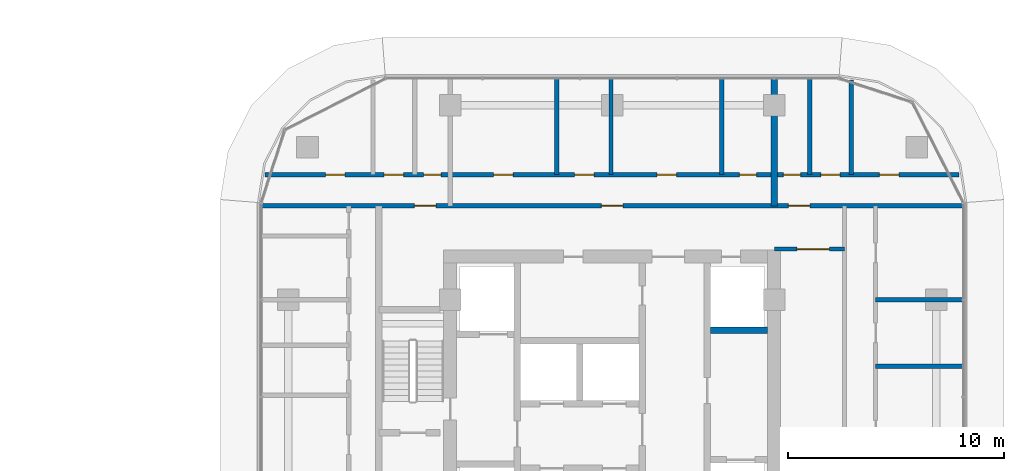
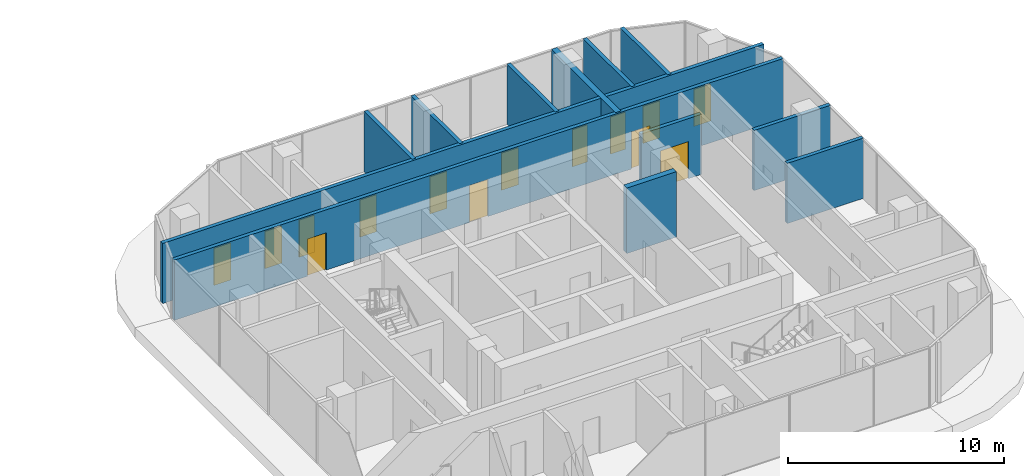
# One storey, part 27 of 39: 14 doors, 12 walls, 14 openings.
"""IFC4 building model written with IfcOpenShell, lengths in metres."""

from ifc_helpers import new_model, si_unit, direction, frame, frame_2d, origin, place, context, subcontext, project, spatial, rectangle, extrude, material, layer, layer_set, type_object, element, fill, save


model = new_model("IFC4")

# Units and contexts
model_context = context("Model", 3, precision=1e-05, world=origin(), true_north=direction((0.0, 1.0)))
body_context = subcontext(model_context, "Body", "Model", "MODEL_VIEW")
ifc_project = project(units=[si_unit("LENGTHUNIT", "METRE"), si_unit("AREAUNIT", "SQUARE_METRE"), si_unit("VOLUMEUNIT", "CUBIC_METRE"), si_unit("PLANEANGLEUNIT", "RADIAN"), si_unit("MASSUNIT", "GRAM", prefix="KILO")], contexts=[model_context])

# Site, building, storey
site_placement = place(None, origin())
site = spatial("IfcSite", under=ifc_project, at=site_placement, CompositionType="ELEMENT")
building_placement = place(site_placement, origin())
building = spatial("IfcBuilding", under=site, at=building_placement, Name="Ogive Portal Towers", CompositionType="ELEMENT")
storey_placement = place(building_placement, frame((0.0, 0.0, 44.60009765625)))
storey = spatial("IfcBuildingStorey", under=building, at=storey_placement, Name="L09", CompositionType="ELEMENT", Elevation=44.60009765625)

# Walls
ifc_material_1 = material(Name="Concrete C60/75", Category="concrete")
ifc_layer_1 = layer(ifc_material_1, 0.300048828125)
ifc_layer_set_1 = layer_set([ifc_layer_1], Name="CORE WALL 300 C60")
wall_type_1 = type_object("IfcWallType", Name="CORE WALL 300 C60", PredefinedType="SHEAR", material=ifc_layer_set_1)
wall_1_placement = place(storey_placement, frame((141.050048828125, 34.10009765625, 0.0), z_axis=(0.0, 0.0, 1.0), x_axis=(1.0, 0.0, 0.0)))
element("IfcWall", 1, at=wall_1_placement, inside=storey, type_object=wall_type_1, Name="Tower B core wall BY7 L09", PredefinedType="SHEAR", context=body_context, shape_type="SweptSolid", body=[
    extrude(rectangle(XDim=2.64990234375, YDim=0.300048828125, at=frame_2d((1.324951171875, 0.0))), origin(), (0.0, 0.0, 1.0), 3.699951171875),
])
ifc_material_2 = material(Name="Gypsum board partition on steel studs", Category="steel")
ifc_layer_2 = layer(ifc_material_2, 0.199951171875)
ifc_layer_set_2 = layer_set([ifc_layer_2], Name="WT-PART-200-EI 60")
wall_type_2 = type_object("IfcWallType", Name="WT-PART-200-EI 60", PredefinedType="PARTITIONING", material=ifc_layer_set_2)
for number, where, z_axis, x_axis, name in (
    (2, (148.68994140625, 32.43310546875, 0.0), (0.0, 0.0, 1.0), (1.0, 0.0, 0.0), "Wall L09:w012"),
    (3, (148.68994140625, 35.5, 0.0), (0.0, 0.0, 1.0), (1.0, 0.0, 0.0), "Wall L09:w016"),
):
    element("IfcWall", number, at=place(storey_placement, frame(where, z_axis=z_axis, x_axis=x_axis)), inside=storey, type_object=wall_type_2, Name=name, PredefinedType="PARTITIONING", context=body_context, shape_type="SweptSolid", body=[
        extrude(rectangle(XDim=4.074951171875, YDim=0.199951171875, at=frame_2d((2.03759765625, 0.0))), origin(), (0.0, 0.0, 1.0), 3.39990234375),
    ])

# Wall, opening, door
wall_2_placement = place(storey_placement, frame((144.02001953125, 37.85009765625, 0.0), z_axis=(0.0, 0.0, 1.0), x_axis=(1.0, 0.0, 0.0)))
wall_2 = element("IfcWall", 4, at=wall_2_placement, inside=storey, type_object=wall_type_2, Name="Wall L09:w018", PredefinedType="PARTITIONING", context=body_context, shape_type="SweptSolid", body=[
    extrude(rectangle(XDim=3.22998046875, YDim=0.199951171875, at=frame_2d((1.614990234375, 0.0))), origin(), (0.0, 0.0, 1.0), 3.39990234375),
])
opening_1_placement = place(wall_2_placement, frame((1.030029296875, 0.0, 0.0)))
opening_1 = element("IfcOpeningElement", 5, at=opening_1_placement, cuts=wall_2, Name="Opening B02-001", PredefinedType="OPENING", context=body_context, shape_type="SweptSolid", body=[
    extrude(rectangle(XDim=1.5, YDim=2.10009765625, at=frame_2d((0.75, 1.050048828125))), frame((0.0, 0.10986328125, 0.0), z_axis=(0.0, -1.0, 0.0), x_axis=(1.0, 0.0, 0.0)), (0.0, 0.0, 1.0), 0.219970703125),
])
ifc_material_3 = material(Name="Steel fire door", Category="steel")
door_type_1 = type_object("IfcDoorType", Name="DT-SWING-1500x2100-FD60S", OperationType="SINGLE_SWING_LEFT", PredefinedType="DOOR", material=ifc_material_3)
door_1_placement = place(opening_1_placement, origin())
door_1 = element("IfcDoor", 6, at=door_1_placement, inside=storey, type_object=door_type_1, Name="Door B02-001", OperationType="SINGLE_SWING_LEFT", OverallHeight=2.10009765625, OverallWidth=1.5, PredefinedType="DOOR", context=body_context, shape_type="SweptSolid", body=[
    extrude(rectangle(XDim=1.5, YDim=2.10009765625, at=frame_2d((0.75, 1.050048828125))), frame((0.0, 0.02490234375, 0.0), z_axis=(0.0, -1.0, 0.0), x_axis=(1.0, 0.0, 0.0)), (0.0, 0.0, 1.0), 0.050048828125),
])
fill(opening_1, door_1)

# Wall, openings, doors
wall_3_placement = place(storey_placement, frame((120.235107421875, 39.85009765625, 0.0), z_axis=(0.0, 0.0, 1.0), x_axis=(1.0, 0.0, 0.0)))
wall_3 = element("IfcWall", 7, at=wall_3_placement, inside=storey, type_object=wall_type_2, Name="Wall L09:w020", PredefinedType="PARTITIONING", context=body_context, shape_type="SweptSolid", body=[
    extrude(rectangle(XDim=32.52978515625, YDim=0.199951171875, at=frame_2d((16.264892578125, 0.0))), origin(), (0.0, 0.0, 1.0), 3.39990234375),
])
opening_2_placement = place(wall_3_placement, frame((7.114990234375, 0.0, 0.0)))
opening_2 = element("IfcOpeningElement", 8, at=opening_2_placement, cuts=wall_3, Name="Opening B02-004", PredefinedType="OPENING", context=body_context, shape_type="SweptSolid", body=[
    extrude(rectangle(XDim=1.0, YDim=2.10009765625, at=frame_2d((0.5, 1.050048828125))), frame((0.0, 0.10986328125, 0.0), z_axis=(0.0, -1.0, 0.0), x_axis=(1.0, 0.0, 0.0)), (0.0, 0.0, 1.0), 0.219970703125),
])
opening_3_placement = place(wall_3_placement, frame((15.764892578125, 0.0, 0.0)))
opening_3 = element("IfcOpeningElement", 9, at=opening_3_placement, cuts=wall_3, Name="Opening B02-008", PredefinedType="OPENING", context=body_context, shape_type="SweptSolid", body=[
    extrude(rectangle(XDim=1.0, YDim=2.10009765625, at=frame_2d((0.5, 1.050048828125))), frame((0.0, 0.10986328125, 0.0), z_axis=(0.0, -1.0, 0.0), x_axis=(1.0, 0.0, 0.0)), (0.0, 0.0, 1.0), 0.219970703125),
])
opening_4_placement = place(wall_3_placement, frame((24.4150390625, 0.0, 0.0)))
opening_4 = element("IfcOpeningElement", 10, at=opening_4_placement, cuts=wall_3, Name="Opening B02-013", PredefinedType="OPENING", context=body_context, shape_type="SweptSolid", body=[
    extrude(rectangle(XDim=1.0, YDim=2.10009765625, at=frame_2d((0.5, 1.050048828125))), frame((0.0, 0.10986328125, 0.0), z_axis=(0.0, -1.0, 0.0), x_axis=(1.0, 0.0, 0.0)), (0.0, 0.0, 1.0), 0.219970703125),
])
door_type_2 = type_object("IfcDoorType", Name="DT-SWING-1000x2100-FD60S", OperationType="SINGLE_SWING_LEFT", PredefinedType="DOOR", material=ifc_material_3)
door_2_placement = place(opening_2_placement, origin())
door_2 = element("IfcDoor", 11, at=door_2_placement, inside=storey, type_object=door_type_2, Name="Door B02-004", OperationType="SINGLE_SWING_RIGHT", OverallHeight=2.10009765625, OverallWidth=1.0, PredefinedType="DOOR", context=body_context, shape_type="SweptSolid", body=[
    extrude(rectangle(XDim=1.0, YDim=2.10009765625, at=frame_2d((0.5, 1.050048828125))), frame((0.0, 0.02490234375, 0.0), z_axis=(0.0, -1.0, 0.0), x_axis=(1.0, 0.0, 0.0)), (0.0, 0.0, 1.0), 0.050048828125),
])
fill(opening_2, door_2)
door_3_placement = place(opening_3_placement, origin())
door_3 = element("IfcDoor", 12, at=door_3_placement, inside=storey, type_object=door_type_2, Name="Door B02-008", OperationType="SINGLE_SWING_RIGHT", OverallHeight=2.10009765625, OverallWidth=1.0, PredefinedType="DOOR", context=body_context, shape_type="SweptSolid", body=[
    extrude(rectangle(XDim=1.0, YDim=2.10009765625, at=frame_2d((0.5, 1.050048828125))), frame((0.0, 0.02490234375, 0.0), z_axis=(0.0, -1.0, 0.0), x_axis=(1.0, 0.0, 0.0)), (0.0, 0.0, 1.0), 0.050048828125),
])
fill(opening_3, door_3)
door_4_placement = place(opening_4_placement, origin())
door_4 = element("IfcDoor", 13, at=door_4_placement, inside=storey, type_object=door_type_2, Name="Door B02-013", OperationType="SINGLE_SWING_LEFT", OverallHeight=2.10009765625, OverallWidth=1.0, PredefinedType="DOOR", context=body_context, shape_type="SweptSolid", body=[
    extrude(rectangle(XDim=1.0, YDim=2.10009765625, at=frame_2d((0.5, 1.050048828125))), frame((0.0, 0.02490234375, 0.0), z_axis=(0.0, -1.0, 0.0), x_axis=(1.0, 0.0, 0.0)), (0.0, 0.0, 1.0), 0.050048828125),
])
fill(opening_4, door_4)

wall_4_placement = place(storey_placement, frame((120.43994140625, 41.2900390625, 0.0), z_axis=(0.0, 0.0, 1.0), x_axis=(1.0, 0.0, 0.0)))
wall_4 = element("IfcWall", 14, at=wall_4_placement, inside=storey, type_object=wall_type_2, Name="Wall L09:w021", PredefinedType="PARTITIONING", context=body_context, shape_type="SweptSolid", body=[
    extrude(rectangle(XDim=32.1201171875, YDim=0.199951171875, at=frame_2d((16.06005859375, 0.0))), origin(), (0.0, 0.0, 1.0), 3.39990234375),
])
opening_5_placement = place(wall_4_placement, frame((2.79296875, 0.0, 0.0)))
opening_5 = element("IfcOpeningElement", 15, at=opening_5_placement, cuts=wall_4, Name="Opening B02-005", PredefinedType="OPENING", context=body_context, shape_type="SweptSolid", body=[
    extrude(rectangle(XDim=0.89990234375, YDim=2.10009765625, at=frame_2d((0.449951171875, 1.050048828125))), frame((0.0, 0.10986328125, 0.0), z_axis=(0.0, -1.0, 0.0), x_axis=(1.0, 0.0, 0.0)), (0.0, 0.0, 1.0), 0.219970703125),
])
opening_6_placement = place(wall_4_placement, frame((5.50390625, 0.0, 0.0)))
opening_6 = element("IfcOpeningElement", 16, at=opening_6_placement, cuts=wall_4, Name="Opening B02-006", PredefinedType="OPENING", context=body_context, shape_type="SweptSolid", body=[
    extrude(rectangle(XDim=0.89990234375, YDim=2.10009765625, at=frame_2d((0.449951171875, 1.050048828125))), frame((0.0, 0.10986328125, 0.0), z_axis=(0.0, -1.0, 0.0), x_axis=(1.0, 0.0, 0.0)), (0.0, 0.0, 1.0), 0.219970703125),
])
opening_7_placement = place(wall_4_placement, frame((7.339111328125, 0.0, 0.0)))
opening_7 = element("IfcOpeningElement", 17, at=opening_7_placement, cuts=wall_4, Name="Opening B02-007", PredefinedType="OPENING", context=body_context, shape_type="SweptSolid", body=[
    extrude(rectangle(XDim=0.800048828125, YDim=2.10009765625, at=frame_2d((0.39990234375, 1.050048828125))), frame((0.0, 0.10986328125, 0.0), z_axis=(0.0, -1.0, 0.0), x_axis=(1.0, 0.0, 0.0)), (0.0, 0.0, 1.0), 0.219970703125),
])
opening_8_placement = place(wall_4_placement, frame((10.576904296875, 0.0, 0.0)))
opening_8 = element("IfcOpeningElement", 18, at=opening_8_placement, cuts=wall_4, Name="Opening B02-009", PredefinedType="OPENING", context=body_context, shape_type="SweptSolid", body=[
    extrude(rectangle(XDim=0.89990234375, YDim=2.10009765625, at=frame_2d((0.449951171875, 1.050048828125))), frame((0.0, 0.10986328125, 0.0), z_axis=(0.0, -1.0, 0.0), x_axis=(1.0, 0.0, 0.0)), (0.0, 0.0, 1.0), 0.219970703125),
])
opening_9_placement = place(wall_4_placement, frame((14.326904296875, 0.0, 0.0)))
opening_9 = element("IfcOpeningElement", 19, at=opening_9_placement, cuts=wall_4, Name="Opening B02-010", PredefinedType="OPENING", context=body_context, shape_type="SweptSolid", body=[
    extrude(rectangle(XDim=0.89990234375, YDim=2.10009765625, at=frame_2d((0.449951171875, 1.050048828125))), frame((0.0, 0.10986328125, 0.0), z_axis=(0.0, -1.0, 0.0), x_axis=(1.0, 0.0, 0.0)), (0.0, 0.0, 1.0), 0.219970703125),
])
opening_10_placement = place(wall_4_placement, frame((18.14404296875, 0.0, 0.0)))
opening_10 = element("IfcOpeningElement", 20, at=opening_10_placement, cuts=wall_4, Name="Opening B02-011", PredefinedType="OPENING", context=body_context, shape_type="SweptSolid", body=[
    extrude(rectangle(XDim=0.89990234375, YDim=2.10009765625, at=frame_2d((0.449951171875, 1.050048828125))), frame((0.0, 0.10986328125, 0.0), z_axis=(0.0, -1.0, 0.0), x_axis=(1.0, 0.0, 0.0)), (0.0, 0.0, 1.0), 0.219970703125),
])
opening_11_placement = place(wall_4_placement, frame((21.944091796875, 0.0, 0.0)))
opening_11 = element("IfcOpeningElement", 21, at=opening_11_placement, cuts=wall_4, Name="Opening B02-012", PredefinedType="OPENING", context=body_context, shape_type="SweptSolid", body=[
    extrude(rectangle(XDim=0.800048828125, YDim=2.10009765625, at=frame_2d((0.39990234375, 1.050048828125))), frame((0.0, 0.10986328125, 0.0), z_axis=(0.0, -1.0, 0.0), x_axis=(1.0, 0.0, 0.0)), (0.0, 0.0, 1.0), 0.219970703125),
])
opening_12_placement = place(wall_4_placement, frame((23.98095703125, 0.0, 0.0)))
opening_12 = element("IfcOpeningElement", 22, at=opening_12_placement, cuts=wall_4, Name="Opening B02-014", PredefinedType="OPENING", context=body_context, shape_type="SweptSolid", body=[
    extrude(rectangle(XDim=0.800048828125, YDim=2.10009765625, at=frame_2d((0.39990234375, 1.050048828125))), frame((0.0, 0.10986328125, 0.0), z_axis=(0.0, -1.0, 0.0), x_axis=(1.0, 0.0, 0.0)), (0.0, 0.0, 1.0), 0.219970703125),
])
opening_13_placement = place(wall_4_placement, frame((25.716064453125, 0.0, 0.0)))
opening_13 = element("IfcOpeningElement", 23, at=opening_13_placement, cuts=wall_4, Name="Opening B02-015", PredefinedType="OPENING", context=body_context, shape_type="SweptSolid", body=[
    extrude(rectangle(XDim=0.89990234375, YDim=2.10009765625, at=frame_2d((0.449951171875, 1.050048828125))), frame((0.0, 0.10986328125, 0.0), z_axis=(0.0, -1.0, 0.0), x_axis=(1.0, 0.0, 0.0)), (0.0, 0.0, 1.0), 0.219970703125),
])
opening_14_placement = place(wall_4_placement, frame((28.427001953125, 0.0, 0.0)))
opening_14 = element("IfcOpeningElement", 24, at=opening_14_placement, cuts=wall_4, Name="Opening B02-016", PredefinedType="OPENING", context=body_context, shape_type="SweptSolid", body=[
    extrude(rectangle(XDim=0.89990234375, YDim=2.10009765625, at=frame_2d((0.449951171875, 1.050048828125))), frame((0.0, 0.10986328125, 0.0), z_axis=(0.0, -1.0, 0.0), x_axis=(1.0, 0.0, 0.0)), (0.0, 0.0, 1.0), 0.219970703125),
])
door_type_3 = type_object("IfcDoorType", Name="DT-SWING-800x2100-FD60S", OperationType="SINGLE_SWING_LEFT", PredefinedType="DOOR", material=ifc_material_3)
door_5_placement = place(opening_7_placement, origin())
door_5 = element("IfcDoor", 25, at=door_5_placement, inside=storey, type_object=door_type_3, Name="Door B02-007", OperationType="SINGLE_SWING_LEFT", OverallHeight=2.10009765625, OverallWidth=0.800048828125, PredefinedType="DOOR", context=body_context, shape_type="SweptSolid", body=[
    extrude(rectangle(XDim=0.800048828125, YDim=2.10009765625, at=frame_2d((0.39990234375, 1.050048828125))), frame((0.0, 0.02490234375, 0.0), z_axis=(0.0, -1.0, 0.0), x_axis=(1.0, 0.0, 0.0)), (0.0, 0.0, 1.0), 0.050048828125),
])
fill(opening_7, door_5)
door_6_placement = place(opening_11_placement, origin())
door_6 = element("IfcDoor", 26, at=door_6_placement, inside=storey, type_object=door_type_3, Name="Door B02-012", OperationType="SINGLE_SWING_RIGHT", OverallHeight=2.10009765625, OverallWidth=0.800048828125, PredefinedType="DOOR", context=body_context, shape_type="SweptSolid", body=[
    extrude(rectangle(XDim=0.800048828125, YDim=2.10009765625, at=frame_2d((0.39990234375, 1.050048828125))), frame((0.0, 0.02490234375, 0.0), z_axis=(0.0, -1.0, 0.0), x_axis=(1.0, 0.0, 0.0)), (0.0, 0.0, 1.0), 0.050048828125),
])
fill(opening_11, door_6)
door_7_placement = place(opening_12_placement, origin())
door_7 = element("IfcDoor", 27, at=door_7_placement, inside=storey, type_object=door_type_3, Name="Door B02-014", OperationType="SINGLE_SWING_RIGHT", OverallHeight=2.10009765625, OverallWidth=0.800048828125, PredefinedType="DOOR", context=body_context, shape_type="SweptSolid", body=[
    extrude(rectangle(XDim=0.800048828125, YDim=2.10009765625, at=frame_2d((0.39990234375, 1.050048828125))), frame((0.0, 0.02490234375, 0.0), z_axis=(0.0, -1.0, 0.0), x_axis=(1.0, 0.0, 0.0)), (0.0, 0.0, 1.0), 0.050048828125),
])
fill(opening_12, door_7)
door_type_4 = type_object("IfcDoorType", Name="DT-SWING-900x2100-FD60S", OperationType="SINGLE_SWING_LEFT", PredefinedType="DOOR", material=ifc_material_3)
door_8_placement = place(opening_5_placement, origin())
door_8 = element("IfcDoor", 28, at=door_8_placement, inside=storey, type_object=door_type_4, Name="Door B02-005", OperationType="SINGLE_SWING_LEFT", OverallHeight=2.10009765625, OverallWidth=0.89990234375, PredefinedType="DOOR", context=body_context, shape_type="SweptSolid", body=[
    extrude(rectangle(XDim=0.89990234375, YDim=2.10009765625, at=frame_2d((0.449951171875, 1.050048828125))), frame((0.0, 0.02490234375, 0.0), z_axis=(0.0, -1.0, 0.0), x_axis=(1.0, 0.0, 0.0)), (0.0, 0.0, 1.0), 0.050048828125),
])
fill(opening_5, door_8)
door_9_placement = place(opening_6_placement, origin())
door_9 = element("IfcDoor", 29, at=door_9_placement, inside=storey, type_object=door_type_4, Name="Door B02-006", OperationType="SINGLE_SWING_RIGHT", OverallHeight=2.10009765625, OverallWidth=0.89990234375, PredefinedType="DOOR", context=body_context, shape_type="SweptSolid", body=[
    extrude(rectangle(XDim=0.89990234375, YDim=2.10009765625, at=frame_2d((0.449951171875, 1.050048828125))), frame((0.0, 0.02490234375, 0.0), z_axis=(0.0, -1.0, 0.0), x_axis=(1.0, 0.0, 0.0)), (0.0, 0.0, 1.0), 0.050048828125),
])
fill(opening_6, door_9)
door_10_placement = place(opening_8_placement, origin())
door_10 = element("IfcDoor", 30, at=door_10_placement, inside=storey, type_object=door_type_4, Name="Door B02-009", OperationType="SINGLE_SWING_LEFT", OverallHeight=2.10009765625, OverallWidth=0.89990234375, PredefinedType="DOOR", context=body_context, shape_type="SweptSolid", body=[
    extrude(rectangle(XDim=0.89990234375, YDim=2.10009765625, at=frame_2d((0.449951171875, 1.050048828125))), frame((0.0, 0.02490234375, 0.0), z_axis=(0.0, -1.0, 0.0), x_axis=(1.0, 0.0, 0.0)), (0.0, 0.0, 1.0), 0.050048828125),
])
fill(opening_8, door_10)
door_11_placement = place(opening_9_placement, origin())
door_11 = element("IfcDoor", 31, at=door_11_placement, inside=storey, type_object=door_type_4, Name="Door B02-010", OperationType="SINGLE_SWING_RIGHT", OverallHeight=2.10009765625, OverallWidth=0.89990234375, PredefinedType="DOOR", context=body_context, shape_type="SweptSolid", body=[
    extrude(rectangle(XDim=0.89990234375, YDim=2.10009765625, at=frame_2d((0.449951171875, 1.050048828125))), frame((0.0, 0.02490234375, 0.0), z_axis=(0.0, -1.0, 0.0), x_axis=(1.0, 0.0, 0.0)), (0.0, 0.0, 1.0), 0.050048828125),
])
fill(opening_9, door_11)
door_12_placement = place(opening_10_placement, origin())
door_12 = element("IfcDoor", 32, at=door_12_placement, inside=storey, type_object=door_type_4, Name="Door B02-011", OperationType="SINGLE_SWING_LEFT", OverallHeight=2.10009765625, OverallWidth=0.89990234375, PredefinedType="DOOR", context=body_context, shape_type="SweptSolid", body=[
    extrude(rectangle(XDim=0.89990234375, YDim=2.10009765625, at=frame_2d((0.449951171875, 1.050048828125))), frame((0.0, 0.02490234375, 0.0), z_axis=(0.0, -1.0, 0.0), x_axis=(1.0, 0.0, 0.0)), (0.0, 0.0, 1.0), 0.050048828125),
])
fill(opening_10, door_12)
door_13_placement = place(opening_13_placement, origin())
door_13 = element("IfcDoor", 33, at=door_13_placement, inside=storey, type_object=door_type_4, Name="Door B02-015", OperationType="SINGLE_SWING_LEFT", OverallHeight=2.10009765625, OverallWidth=0.89990234375, PredefinedType="DOOR", context=body_context, shape_type="SweptSolid", body=[
    extrude(rectangle(XDim=0.89990234375, YDim=2.10009765625, at=frame_2d((0.449951171875, 1.050048828125))), frame((0.0, 0.02490234375, 0.0), z_axis=(0.0, -1.0, 0.0), x_axis=(1.0, 0.0, 0.0)), (0.0, 0.0, 1.0), 0.050048828125),
])
fill(opening_13, door_13)
door_14_placement = place(opening_14_placement, origin())
door_14 = element("IfcDoor", 34, at=door_14_placement, inside=storey, type_object=door_type_4, Name="Door B02-016", OperationType="SINGLE_SWING_RIGHT", OverallHeight=2.10009765625, OverallWidth=0.89990234375, PredefinedType="DOOR", context=body_context, shape_type="SweptSolid", body=[
    extrude(rectangle(XDim=0.89990234375, YDim=2.10009765625, at=frame_2d((0.449951171875, 1.050048828125))), frame((0.0, 0.02490234375, 0.0), z_axis=(0.0, -1.0, 0.0), x_axis=(1.0, 0.0, 0.0)), (0.0, 0.0, 1.0), 0.050048828125),
])
fill(opening_14, door_14)

# Walls
for number, where, z_axis, x_axis, name in (
    (35, (133.93310546875, 41.2900390625, 0.0), (0.0, 0.0, 1.0), (0.0, 1.0, 0.0), "Wall L09:w032"),
    (36, (136.449951171875, 41.2900390625, 0.0), (0.0, 0.0, 1.0), (0.0, 1.0, 0.0), "Wall L09:w034"),
    (37, (141.569091796875, 41.2900390625, 0.0), (0.0, 0.0, 1.0), (0.0, 1.0, 0.0), "Wall L09:w036"),
    (38, (145.64111328125, 41.2900390625, 0.0), (0.0, 0.0, 1.0), (0.0, 1.0, 0.0), "Wall L09:w042"),
):
    element("IfcWall", number, at=place(storey_placement, frame(where, z_axis=z_axis, x_axis=x_axis)), inside=storey, type_object=wall_type_2, Name=name, PredefinedType="PARTITIONING", context=body_context, shape_type="SweptSolid", body=[
        extrude(rectangle(XDim=4.474853515625, YDim=0.199951171875, at=frame_2d((2.2373046875, 0.0))), origin(), (0.0, 0.0, 1.0), 3.39990234375),
    ])
wall_5_placement = place(storey_placement, frame((147.571044921875, 41.2900390625, 0.0), z_axis=(0.0, 0.0, 1.0), x_axis=(0.0, 1.0, 0.0)))
element("IfcWall", 39, at=wall_5_placement, inside=storey, type_object=wall_type_2, Name="Wall L09:w045", PredefinedType="PARTITIONING", context=body_context, shape_type="SweptSolid", body=[
    extrude(rectangle(XDim=4.384033203125, YDim=0.199951171875, at=frame_2d((2.19189453125, 0.0))), origin(), (0.0, 0.0, 1.0), 3.39990234375),
])
ifc_layer_3 = layer(ifc_material_2, 0.300048828125)
ifc_layer_set_3 = layer_set([ifc_layer_3], Name="WT-PART-300-EI 60")
wall_type_3 = type_object("IfcWallType", Name="WT-PART-300-EI 60", PredefinedType="PARTITIONING", material=ifc_layer_set_3)
wall_6_placement = place(storey_placement, frame((144.0, 39.85009765625, 0.0), z_axis=(0.0, 0.0, 1.0), x_axis=(0.0, 1.0, 0.0)))
element("IfcWall", 40, at=wall_6_placement, inside=storey, type_object=wall_type_3, Name="Wall L09:w038", PredefinedType="PARTITIONING", context=body_context, shape_type="SweptSolid", body=[
    extrude(rectangle(XDim=5.914794921875, YDim=0.300048828125, at=frame_2d((2.95751953125, 0.0))), origin(), (0.0, 0.0, 1.0), 3.39990234375),
])

save(model, "model.ifc")
